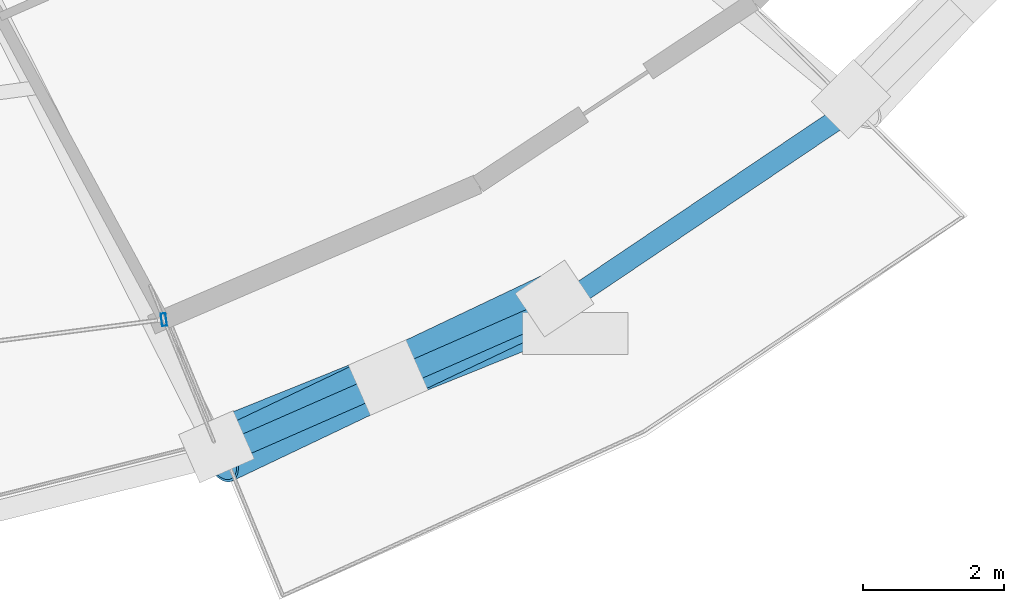
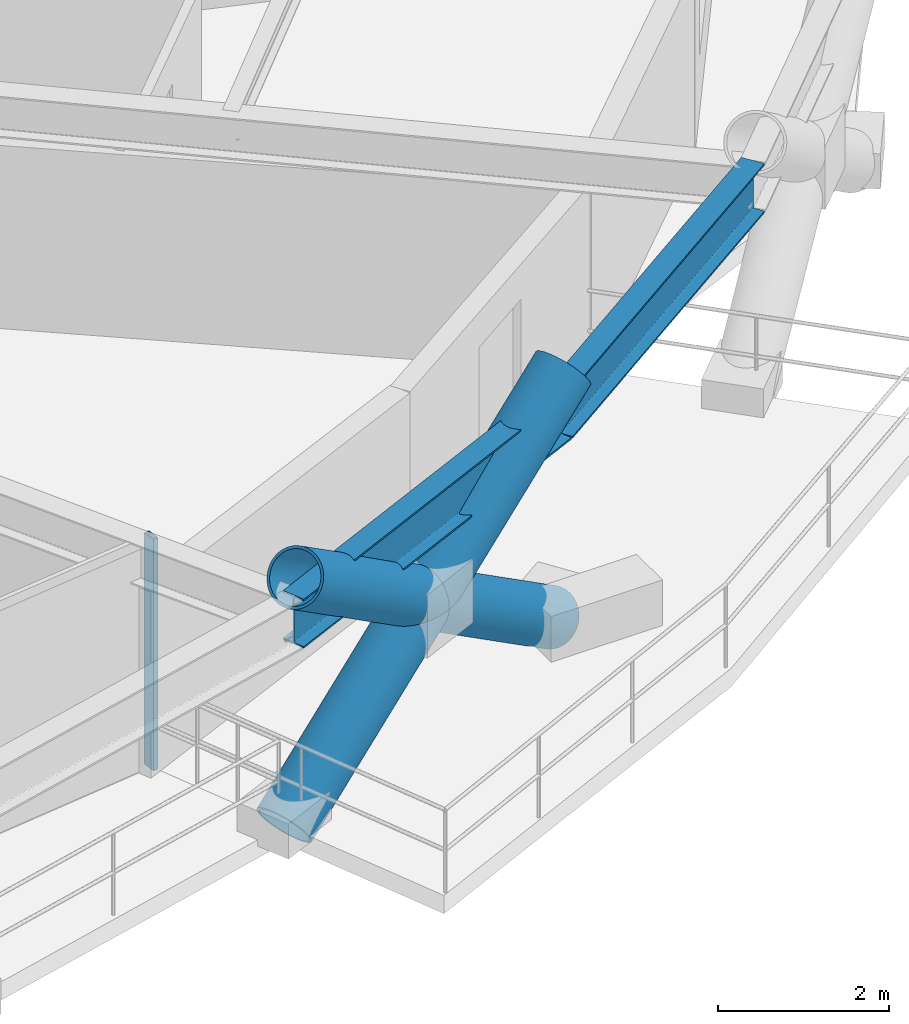
# One storey, part 4 of 13: 4 members, 2 beams, 1 element without a shape of its own.
"""IFC4 building model written with IfcOpenShell, lengths in metres."""

from ifc_helpers import new_model, si_unit, direction, frame, origin, origin_2d, place, context, subcontext, project, spatial, hollow_rectangle, hollow_circle, i_section, extrude, material, layer, layer_set, material_profile, profile_set, type_object, element, aggregate, save


model = new_model("IFC4")

# Units and contexts
model_context = context("Model", 3, precision=1e-05, world=origin(), true_north=direction((0.0, 1.0)))
body_context = subcontext(model_context, "Body", "Model", "MODEL_VIEW")
ifc_project = project(units=[si_unit("LENGTHUNIT", "METRE"), si_unit("AREAUNIT", "SQUARE_METRE"), si_unit("VOLUMEUNIT", "CUBIC_METRE"), si_unit("PLANEANGLEUNIT", "RADIAN"), si_unit("MASSUNIT", "GRAM", prefix="KILO")], contexts=[model_context])

# Site, building, storey
site_placement = place(None, origin())
site = spatial("IfcSite", under=ifc_project, at=site_placement, CompositionType="ELEMENT")
building_placement = place(site_placement, origin())
building = spatial("IfcBuilding", under=site, at=building_placement, Name="Veldorina Hangang Commons", CompositionType="ELEMENT")
storey_placement = place(building_placement, frame((0.0, 0.0, 37.60009765625)))
storey = spatial("IfcBuildingStorey", under=building, at=storey_placement, Name="L08", CompositionType="ELEMENT", Elevation=37.60009765625)

# Beams
ifc_material_1 = material(Name="Steel SM460-TMC", Category="steel")
ifc_material_profile_1 = material_profile(ifc_material_1, i_section(OverallWidth=0.300048828125, OverallDepth=0.699951171875, WebThickness=0.012939453125, FlangeThickness=0.02392578125, FilletRadius=0.02197265625, at=origin_2d()), Name="H-700x300x13x24")
ifc_profile_set_1 = profile_set([ifc_material_profile_1], Name="Steel SM460-TMC")
beam_type = type_object("IfcBeamType", Name="BM-RB700", PredefinedType="BEAM", material=ifc_profile_set_1)
beam_1_placement = place(storey_placement, frame((42.702880859375, 2.7802734375, 2.989990234375), z_axis=(0.91565897193, 0.401956026355, 0.0), x_axis=(-0.401956026355, 0.91565897193, 0.0)))
element("IfcBeam", 1, at=beam_1_placement, inside=storey, type_object=beam_type, Name="L08 perimeter hoop ring beam 26", PredefinedType="BEAM", context=body_context, shape_type="SweptSolid", body=[
    extrude(i_section(OverallWidth=0.300048828125, OverallDepth=0.699951171875, WebThickness=0.012939453125, FlangeThickness=0.02392578125, FilletRadius=0.02197265625, at=origin_2d()), origin(), (0.0, 0.0, 1.0), 5.280517578125),
])
beam_2_placement = place(storey_placement, frame((47.5380859375, 4.90283203125, 2.989990234375), z_axis=(0.8292471772, 0.558882026108, 0.0), x_axis=(-0.558882026108, 0.8292471772, 0.0)))
element("IfcBeam", 2, at=beam_2_placement, inside=storey, type_object=beam_type, Name="L08 perimeter hoop ring beam 27", PredefinedType="BEAM", context=body_context, shape_type="SweptSolid", body=[
    extrude(i_section(OverallWidth=0.300048828125, OverallDepth=0.699951171875, WebThickness=0.012939453125, FlangeThickness=0.02392578125, FilletRadius=0.02197265625, at=origin_2d()), origin(), (0.0, 0.0, 1.0), 5.111083984375),
])

# Curtain wall, member
ifc_material_2 = material(Name="Glass Low-E Triple IGU", Category="glass")
ifc_layer = layer(ifc_material_2, 0.179931640625)
ifc_layer_set = layer_set([ifc_layer], Name="Glass Low-E Triple IGU")
curtain_wall_type = type_object("IfcCurtainWallType", Name="CW-SYS-Z1", PredefinedType="NOTDEFINED", material=ifc_layer_set)
curtain_wall_placement = place(storey_placement, origin())
curtain_wall = element("IfcCurtainWall", 3, at=curtain_wall_placement, inside=storey, type_object=curtain_wall_type, Name="L08 unitised curtain wall CW-L08-R2", PredefinedType="NOTDEFINED")
ifc_material_3 = material(Name="Aluminium Anodized AA6063-T6", Category="aluminium")
ifc_material_profile_2 = material_profile(ifc_material_3, hollow_rectangle(XDim=0.070068359375, YDim=0.179931640625, WallThickness=0.00390625, at=origin_2d()), Name="ALU-RHS-180x70x4")
ifc_profile_set_2 = profile_set([ifc_material_profile_2], Name="Aluminium Anodized AA6063-T6")
member_type_1 = type_object("IfcMemberType", Name="CW-MUL-180", PredefinedType="MULLION", material=ifc_profile_set_2)
member_1_placement = place(storey_placement, frame((41.901611328125, 4.715087890625, 0.0), z_axis=(0.0, 0.0, 1.0), x_axis=(-0.991823321629, -0.127618567118, 0.0)))
member_1 = element("IfcMember", 4, at=member_1_placement, type_object=member_type_1, Name="CW-L08-R2 vertical mullion 2", PredefinedType="MULLION", context=body_context, shape_type="SweptSolid", body=[
    extrude(hollow_rectangle(XDim=0.070068359375, YDim=0.179931640625, WallThickness=0.00390625, at=origin_2d()), origin(), (0.0, 0.0, 1.0), 3.2998046875),
])
aggregate(curtain_wall, [member_1])

# Members
ifc_material_profile_3 = material_profile(ifc_material_1, hollow_circle(Radius=0.375, WallThickness=0.035888671875, at=origin_2d()), Name="CHS-750x36")
ifc_profile_set_3 = profile_set([ifc_material_profile_3], Name="Steel SM460-TMC")
member_type_2 = type_object("IfcMemberType", Name="DG-CHS750", PredefinedType="BRACE", material=ifc_profile_set_3)
member_2_placement = place(storey_placement, frame((42.651611328125, 2.904296875, 0.0), z_axis=(0.766569548898, 0.308949137847, 0.562957864255), x_axis=(-0.373810673454, 0.927505029858, 0.0)))
element("IfcMember", 5, at=member_2_placement, inside=storey, type_object=member_type_2, Name="L08 continuous perimeter diagrid brace 26", PredefinedType="BRACE", context=body_context, shape_type="SweptSolid", body=[
    extrude(hollow_circle(Radius=0.375, WallThickness=0.035888671875, at=origin_2d()), origin(), (0.0, 0.0, 1.0), 6.39453125),
])
member_3_placement = place(storey_placement, frame((47.463623046875, 5.014404296875, 0.0), z_axis=(-0.745404705458, -0.354145993965, 0.564758744987), x_axis=(0.429134679923, -0.903240514197, 0.0)))
element("IfcMember", 6, at=member_3_placement, inside=storey, type_object=member_type_2, Name="L08 split perimeter diagrid lower brace 27", PredefinedType="BRACE", context=body_context, shape_type="SweptSolid", body=[
    extrude(hollow_circle(Radius=0.375, WallThickness=0.035888671875, at=origin_2d()), origin(), (0.0, 0.0, 1.0), 3.17724609375),
])
member_4_placement = place(storey_placement, frame((45.09521484375, 3.88916015625, 1.79443359375), z_axis=(-0.745078336332, -0.354821028147, 0.564765713118), x_axis=(0.429955133741, -0.902850255009, 0.0)))
element("IfcMember", 7, at=member_4_placement, inside=storey, type_object=member_type_2, Name="L08 split perimeter diagrid upper brace 27", PredefinedType="BRACE", context=body_context, shape_type="SweptSolid", body=[
    extrude(hollow_circle(Radius=0.375, WallThickness=0.035888671875, at=origin_2d()), origin(), (0.0, 0.0, 1.0), 3.19677734375),
])

save(model, "model.ifc")
